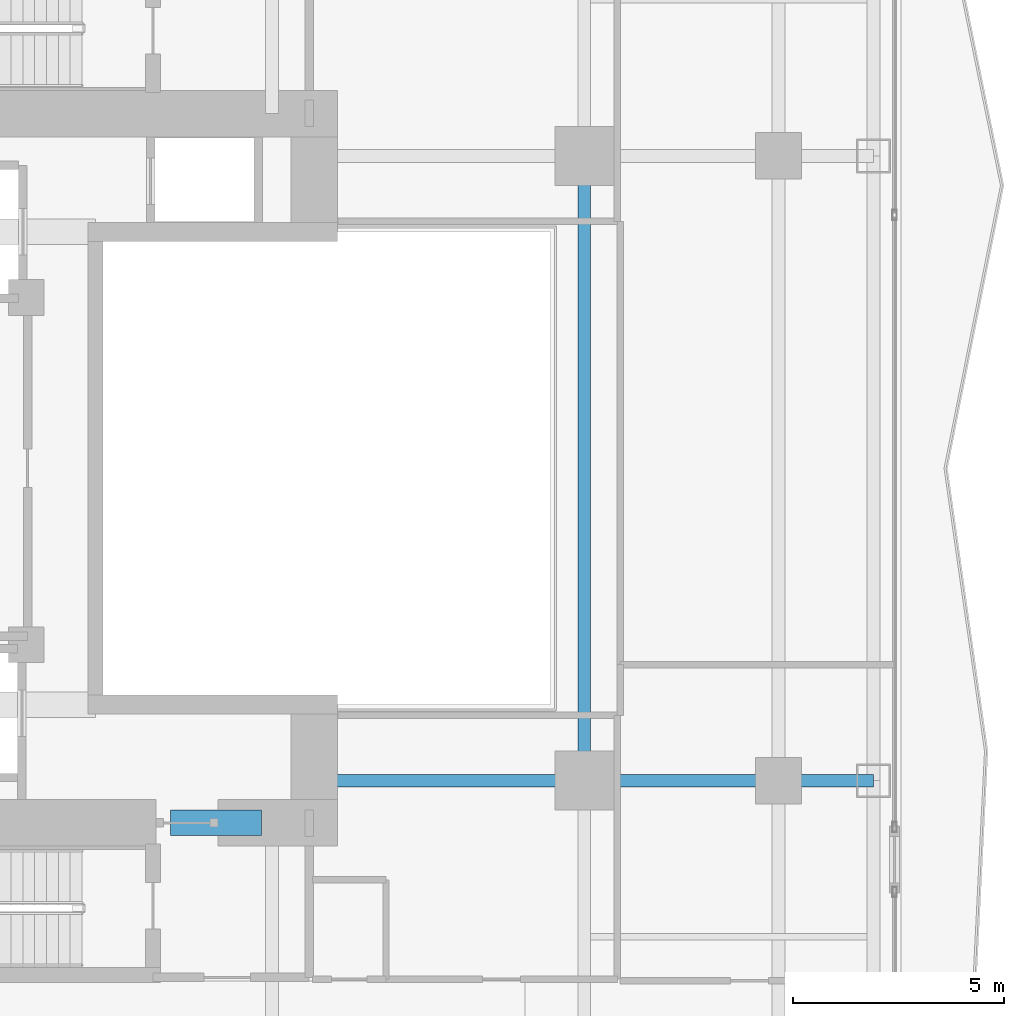
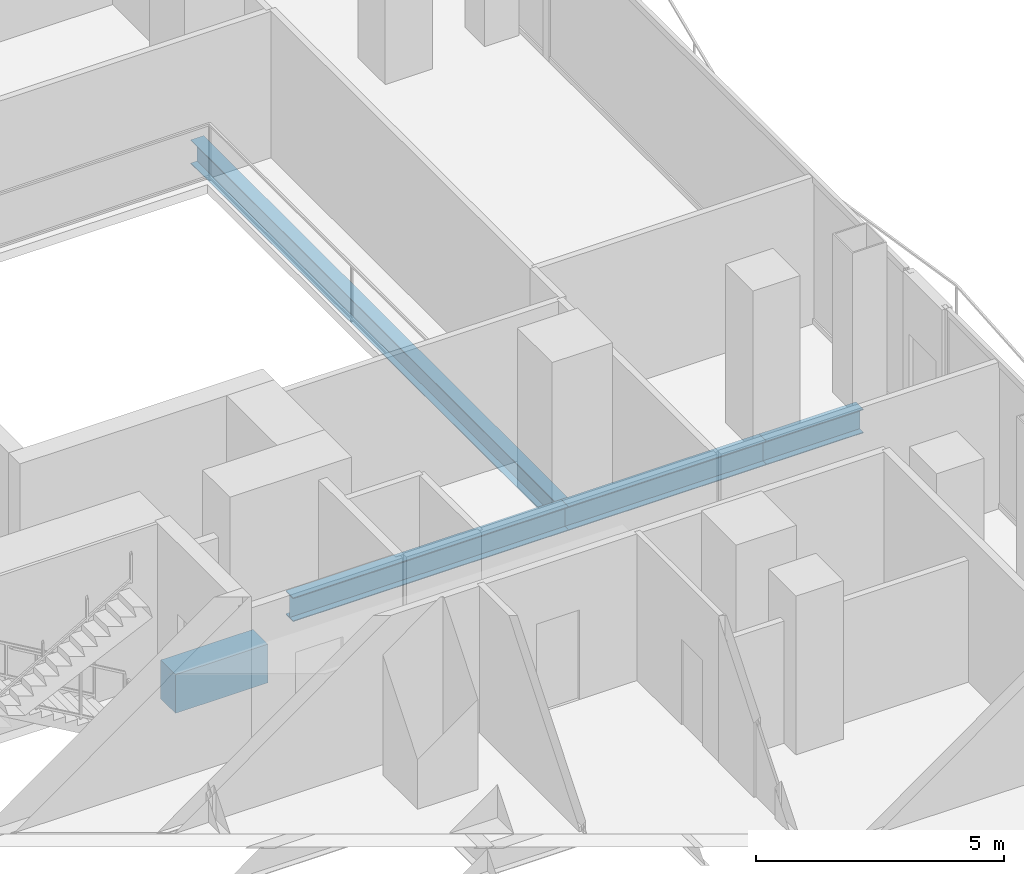
# One storey, part 11 of 29: 5 beams.
"""IFC4 building model written with IfcOpenShell, lengths in metres."""

from ifc_helpers import new_model, si_unit, direction, frame, origin, origin_2d, place, context, subcontext, project, spatial, rectangle, i_section, extrude, material, material_profile, profile_set, type_object, element, save


model = new_model("IFC4")

# Units and contexts
model_context = context("Model", 3, precision=1e-05, world=origin(), true_north=direction((0.0, 1.0)))
body_context = subcontext(model_context, "Body", "Model", "MODEL_VIEW")
ifc_project = project(units=[si_unit("LENGTHUNIT", "METRE"), si_unit("AREAUNIT", "SQUARE_METRE"), si_unit("VOLUMEUNIT", "CUBIC_METRE"), si_unit("PLANEANGLEUNIT", "RADIAN"), si_unit("MASSUNIT", "GRAM", prefix="KILO")], contexts=[model_context])

# Site, building, storey
site_placement = place(None, origin())
site = spatial("IfcSite", under=ifc_project, at=site_placement, CompositionType="ELEMENT")
building_placement = place(site_placement, origin())
building = spatial("IfcBuilding", under=site, at=building_placement, Name="Khorvyn Point Tower", CompositionType="ELEMENT")
storey_placement = place(building_placement, frame((0.0, 0.0, 73.5)))
storey = spatial("IfcBuildingStorey", under=building, at=storey_placement, Name="L19", CompositionType="ELEMENT", Elevation=73.5)

# Beams
ifc_material_1 = material(Name="Concrete C50/60", Category="concrete")
ifc_material_profile_1 = material_profile(ifc_material_1, rectangle(XDim=0.60009765625, YDim=0.949951171875, at=origin_2d()))
ifc_profile_set_1 = profile_set([ifc_material_profile_1], Name="Concrete C50/60 RC600x950")
beam_type_1 = type_object("IfcBeamType", Name="Concrete C50/60 Beam RC600x950", PredefinedType="BEAM", material=ifc_profile_set_1)
beam_1_placement = place(storey_placement, frame((5.0, -8.39990234375, -0.695068359375), z_axis=(1.0, 0.0, 0.0), x_axis=(0.0, 1.0, 0.0)))
element("IfcBeam", 1, at=beam_1_placement, inside=storey, type_object=beam_type_1, Name="L19 Core Southeast Portal Coupling Beam", PredefinedType="BEAM", context=body_context, shape_type="SweptSolid", body=[
    extrude(rectangle(XDim=0.60009765625, YDim=0.949951171875, at=origin_2d()), origin(), (0.0, 0.0, 1.0), 2.14990234375),
])
ifc_material_2 = material(Name="Steel S355", Category="steel")
ifc_material_profile_2 = material_profile(ifc_material_2, i_section(OverallWidth=0.300048828125, OverallDepth=0.587890625, WebThickness=0.011962890625, FlangeThickness=0.02001953125, at=origin_2d()))
ifc_profile_set_2 = profile_set([ifc_material_profile_2], Name="Steel S355 H588x300x12x20")
beam_type_2 = type_object("IfcBeamType", Name="Steel S355 Beam H588x300x12x20", PredefinedType="BEAM", material=ifc_profile_set_2)
beam_2_placement = place(storey_placement, frame((8.39990234375, -7.39990234375, -0.513916015625), z_axis=(1.0, 0.0, 0.0), x_axis=(0.0, 1.0, 0.0)))
element("IfcBeam", 2, at=beam_2_placement, inside=storey, type_object=beam_type_2, Name="Beam", PredefinedType="BEAM", context=body_context, shape_type="SweptSolid", body=[
    extrude(i_section(OverallWidth=0.300048828125, OverallDepth=0.587890625, WebThickness=0.011962890625, FlangeThickness=0.02001953125, at=origin_2d()), origin(), (0.0, 0.0, 1.0), 6.400146484375),
])
beam_3_placement = place(storey_placement, frame((14.800048828125, -7.39990234375, -0.513916015625), z_axis=(1.0, 0.0, 0.0), x_axis=(0.0, 1.0, 0.0)))
element("IfcBeam", 3, at=beam_3_placement, inside=storey, type_object=beam_type_2, Name="Beam", PredefinedType="BEAM", context=body_context, shape_type="SweptSolid", body=[
    extrude(i_section(OverallWidth=0.300048828125, OverallDepth=0.587890625, WebThickness=0.011962890625, FlangeThickness=0.02001953125, at=origin_2d()), origin(), (0.0, 0.0, 1.0), 4.599853515625),
])
beam_4_placement = place(storey_placement, frame((19.39990234375, -7.39990234375, -0.513916015625), z_axis=(1.0, 0.0, 0.0), x_axis=(0.0, 1.0, 0.0)))
element("IfcBeam", 4, at=beam_4_placement, inside=storey, type_object=beam_type_2, Name="Beam", PredefinedType="BEAM", context=body_context, shape_type="SweptSolid", body=[
    extrude(i_section(OverallWidth=0.300048828125, OverallDepth=0.587890625, WebThickness=0.011962890625, FlangeThickness=0.02001953125, at=origin_2d()), origin(), (0.0, 0.0, 1.0), 2.25),
])
beam_5_placement = place(storey_placement, frame((14.800048828125, -7.39990234375, -0.513916015625), z_axis=(0.0, 1.0, 0.0), x_axis=(-1.0, 0.0, 0.0)))
element("IfcBeam", 5, at=beam_5_placement, inside=storey, type_object=beam_type_2, Name="Beam", PredefinedType="BEAM", context=body_context, shape_type="SweptSolid", body=[
    extrude(i_section(OverallWidth=0.300048828125, OverallDepth=0.587890625, WebThickness=0.011962890625, FlangeThickness=0.02001953125, at=origin_2d()), origin(), (0.0, 0.0, 1.0), 14.7998046875),
])

save(model, "model.ifc")
